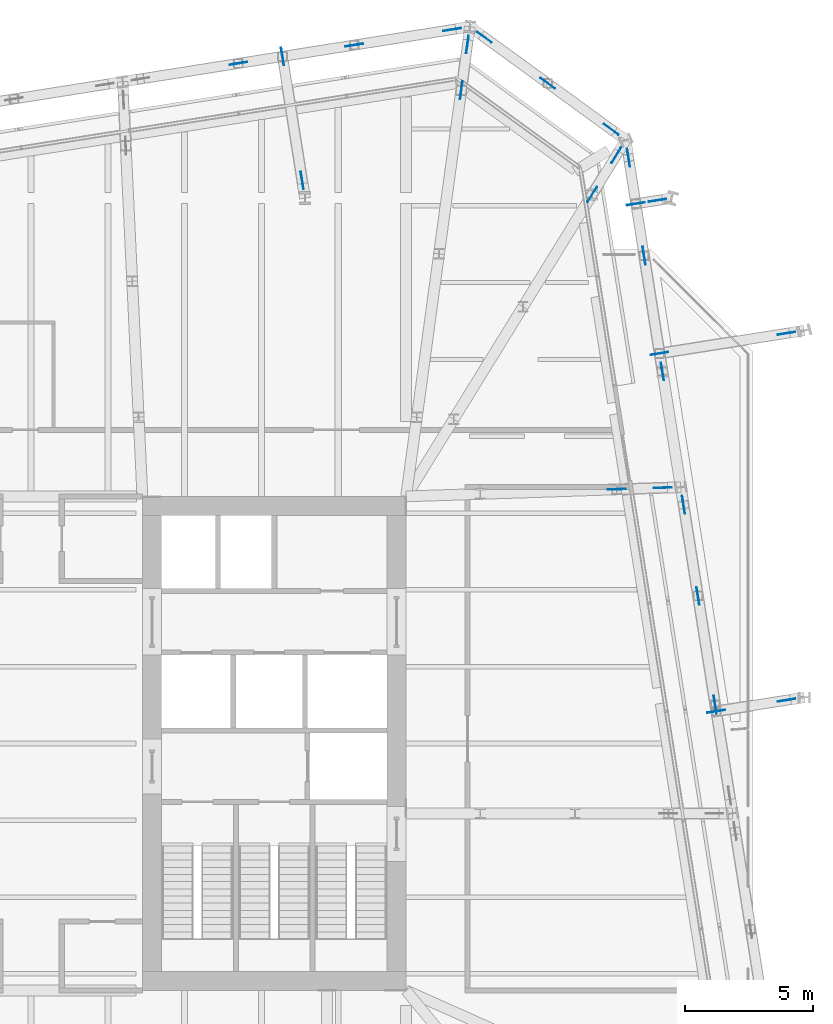
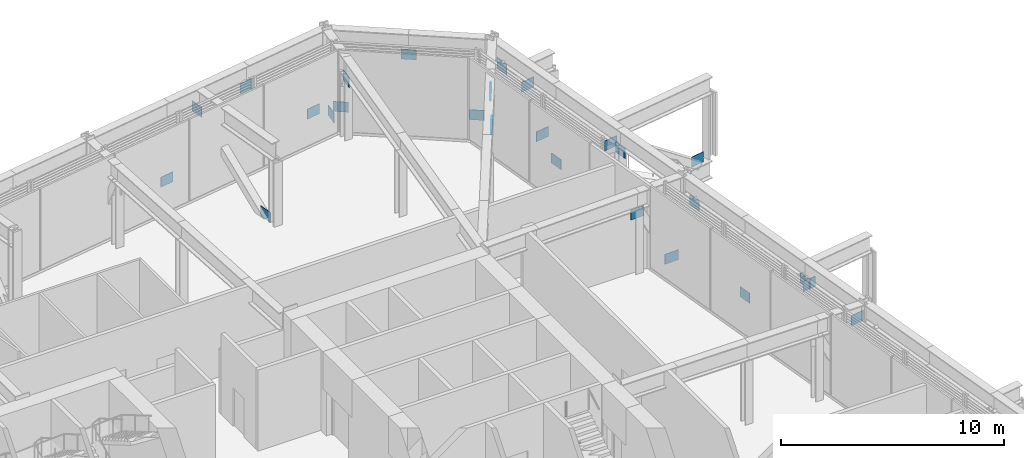
# One storey, part 28 of 32: 26 discrete accessories.
"""IFC4 building model written with IfcOpenShell, lengths in metres."""

import ifcopenshell
import ifcopenshell.guid

model = None  # the IFC model being written
_history = None  # IfcOwnerHistory: only IFC2X3 demands one
_inside = {}  # id of a spatial element -> (the spatial element, [elements in it])
_under = {}  # id of a project, library or spatial element -> (it, [spatial elements below it])
_declared = {}  # id of a project -> (the project, [libraries it declares])
_typed = {}  # id of a type object -> (the type object, [elements of that type])
_made_of = {}  # id of a material, layer set ... -> (it, [elements and type objects made of it])


def new_model(schema):
    """Start an empty IFC model of exactly this schema.

    Asked for "IFC4X3", IfcOpenShell would pick the latest addendum, in which some entities
    have other attributes; the version numbers below select the first issue.
    IFC2X3 requires an IfcOwnerHistory on every rooted entity: one is made here for all.
    """
    global model, _history
    if schema == "IFC4X3":
        model = ifcopenshell.file(schema_version=(4, 3, 0, 0))
    else:
        model = ifcopenshell.file(schema=schema)
    _inside.clear()
    _under.clear()
    _declared.clear()
    _typed.clear()
    _made_of.clear()
    _history = None
    if model.schema == "IFC2X3":
        org = make("IfcOrganization", Name="unknown")
        user = make(
            "IfcPersonAndOrganization",
            ThePerson=make("IfcPerson", FamilyName="unknown"),
            TheOrganization=org,
        )
        app = make(
            "IfcApplication",
            ApplicationDeveloper=org,
            Version="unknown",
            ApplicationFullName="unknown",
            ApplicationIdentifier="unknown",
        )
        _history = make(
            "IfcOwnerHistory",
            OwningUser=user,
            OwningApplication=app,
            ChangeAction="ADDED",
            CreationDate=0,
        )
    return model


def make(cls, **values):
    """One entity of the class cls with the attributes given. An attribute that is None is left unset."""
    return model.create_entity(
        cls, **{name: value for name, value in values.items() if value is not None}
    )


def rooted(cls, **values):
    """An entity with a GlobalId (a new one), such as an element, a storey or a relation."""
    return make(cls, GlobalId=ifcopenshell.guid.new(), OwnerHistory=_history, **values)


def si_unit(unit_type, name, prefix=None):
    """IfcSIUnit, for example si_unit("LENGTHUNIT", "METRE", prefix="MILLI")."""
    return make("IfcSIUnit", UnitType=unit_type, Prefix=prefix, Name=name)


def assignment(units):
    """IfcUnitAssignment: the units of a project."""
    return None if units is None else make("IfcUnitAssignment", Units=units)


def point(xyz):
    """IfcCartesianPoint."""
    return None if xyz is None else make("IfcCartesianPoint", Coordinates=xyz)


def direction(xyz):
    """IfcDirection."""
    return None if xyz is None else make("IfcDirection", DirectionRatios=xyz)


def frame(location, z_axis=None, x_axis=None):
    """IfcAxis2Placement3D, a coordinate frame: its origin and axes. An axis left out is left unset."""
    return make(
        "IfcAxis2Placement3D",
        Location=point(location),
        Axis=direction(z_axis),
        RefDirection=direction(x_axis),
    )


def frame_2d(location, x_axis=None):
    """IfcAxis2Placement2D, a coordinate frame in the plane: its origin and x axis."""
    return make(
        "IfcAxis2Placement2D", Location=point(location), RefDirection=direction(x_axis)
    )


def origin():
    """The frame at (0, 0, 0) with its axes left unset."""
    return frame((0.0, 0.0, 0.0))


def origin_2d():
    """The frame at (0, 0) in the plane with its x axis left unset."""
    return frame_2d((0.0, 0.0))


def place(relative_to, where):
    """IfcLocalPlacement: puts the frame where relative to a parent placement (None: the world)."""
    return make(
        "IfcLocalPlacement", PlacementRelTo=relative_to, RelativePlacement=where
    )


def context(
    kind, dimensions, precision=None, world=None, true_north=None, identifier=None
):
    """IfcGeometricRepresentationContext, for example the 3D "Model" context."""
    return make(
        "IfcGeometricRepresentationContext",
        ContextIdentifier=identifier,
        ContextType=kind,
        CoordinateSpaceDimension=dimensions,
        Precision=precision,
        WorldCoordinateSystem=world,
        TrueNorth=true_north,
    )


def subcontext(parent, identifier, kind, view, scale=None):
    """IfcGeometricRepresentationSubContext, for example "Body" below "Model"."""
    return make(
        "IfcGeometricRepresentationSubContext",
        ContextIdentifier=identifier,
        ContextType=kind,
        ParentContext=parent,
        TargetScale=scale,
        TargetView=view,
    )


def project(units=None, contexts=None):
    """IfcProject with its units and contexts."""
    return rooted(
        "IfcProject",
        Name="project",
        RepresentationContexts=contexts,
        UnitsInContext=assignment(units),
    )


def spatial(cls, under=None, at=None, **own):
    """A site, building, storey or space (cls), placed at a placement, below another one or the project."""
    s = rooted(cls, ObjectPlacement=at, **own)
    if under is not None:
        _under.setdefault(under.id(), (under, []))[1].append(s)
    return s


def profile(cls, at=None, kind="AREA", **sizes):
    """A parametric profile (cls). Its sizes go by their IFC names, for example OverallWidth=200.0."""
    return make(cls, ProfileType=kind, Position=at, **sizes)


def rectangle(**sizes):
    """IfcRectangleProfileDef."""
    return profile("IfcRectangleProfileDef", **sizes)


def extrude(swept, where, along, depth):
    """IfcExtrudedAreaSolid: the profile swept, set in the frame where, extruded along a direction by depth."""
    return make(
        "IfcExtrudedAreaSolid",
        SweptArea=swept,
        Position=where,
        ExtrudedDirection=direction(along),
        Depth=depth,
    )


def shape(context_of_items, identifier, shape_type, items):
    """IfcShapeRepresentation: the items that make up one representation, for example the "Body"."""
    return make(
        "IfcShapeRepresentation",
        ContextOfItems=context_of_items,
        RepresentationIdentifier=identifier,
        RepresentationType=shape_type,
        Items=items,
    )


def material(Name=None, Category=None):
    """IfcMaterial."""
    return make("IfcMaterial", Name=Name, Category=Category)


def layer(
    of_material, thickness, ventilated=None, Name=None, Category=None, Priority=None
):
    """IfcMaterialLayer: one layer of a wall or slab, of a material (None: an air gap)."""
    return make(
        "IfcMaterialLayer",
        Material=of_material,
        LayerThickness=thickness,
        IsVentilated=ventilated,
        Name=Name,
        Category=Category,
        Priority=Priority,
    )


def layer_set(layers, Name=None):
    """IfcMaterialLayerSet."""
    return make("IfcMaterialLayerSet", MaterialLayers=layers, LayerSetName=Name)


def made_of(thing, what):
    """Note that an element or type object is made of a material, layer set ...; save() writes the relation."""
    if what is not None:
        _made_of.setdefault(what.id(), (what, []))[1].append(thing)
    return thing


def type_object(cls, material=None, **own):
    """A type object (cls), such as IfcWallType, which elements share."""
    return made_of(rooted(cls, **own), material)


def element(
    cls,
    number,
    at=None,
    inside=None,
    cuts=None,
    type_object=None,
    material=None,
    context=None,
    identifier="Body",
    shape_type=None,
    held_by="IfcProductDefinitionShape",
    body=None,
    shapes=None,
    **own,
):
    """One element of the class cls, such as IfcWall. Its Tag is "e" and its number.

    at: its placement. inside: the storey or other place that contains it. cuts: it is an
    opening in that element (IfcRelVoidsElement). A single representation is given by context,
    identifier, shape_type and body (its items); several are given by shapes. held_by: the class
    of the entity that holds the representations. save() writes the other relations.
    """
    e = rooted(cls, Tag="e%d" % number, ObjectPlacement=at, **own)
    if body is not None:
        shapes = [shape(context, identifier, shape_type, body)]
    if shapes is not None:
        e.Representation = make(held_by, Representations=shapes)
    if inside is not None:
        _inside.setdefault(inside.id(), (inside, []))[1].append(e)
    if cuts is not None:
        rooted(
            "IfcRelVoidsElement", RelatingBuildingElement=cuts, RelatedOpeningElement=e
        )
    if type_object is not None:
        _typed.setdefault(type_object.id(), (type_object, []))[1].append(e)
    return made_of(e, material)


def aggregate(whole, parts):
    """IfcRelAggregates: a whole, such as a stair, and the parts it consists of."""
    return rooted("IfcRelAggregates", RelatingObject=whole, RelatedObjects=parts)


def save(model, path):
    """Write the relations noted so far, then the file.

    IfcRelAggregates (storeys below a building ...), IfcRelContainedInSpatialStructure (elements
    in a storey), IfcRelDefinesByType, IfcRelAssociatesMaterial and IfcRelDeclares: one each for
    every whole, place, type object, material and project.
    """
    for whole, parts in _under.values():
        aggregate(whole, parts)
    for where, things in _inside.values():
        rooted(
            "IfcRelContainedInSpatialStructure",
            RelatedElements=things,
            RelatingStructure=where,
        )
    for kind, things in _typed.values():
        rooted("IfcRelDefinesByType", RelatedObjects=things, RelatingType=kind)
    for what, things in _made_of.values():
        rooted("IfcRelAssociatesMaterial", RelatedObjects=things, RelatingMaterial=what)
    for by, libraries in _declared.values():
        rooted("IfcRelDeclares", RelatingContext=by, RelatedDefinitions=libraries)
    model.write(path)


model = new_model("IFC4")

# Units and contexts
model_context = context("Model", 3, precision=1e-05, world=origin(), true_north=direction((0.0, 1.0)))
body_context = subcontext(model_context, "Body", "Model", "MODEL_VIEW")
ifc_project = project(units=[si_unit("LENGTHUNIT", "METRE"), si_unit("AREAUNIT", "SQUARE_METRE"), si_unit("VOLUMEUNIT", "CUBIC_METRE"), si_unit("PLANEANGLEUNIT", "RADIAN"), si_unit("MASSUNIT", "GRAM", prefix="KILO")], contexts=[model_context])

# Site, building, storey
site_placement = place(None, origin())
site = spatial("IfcSite", under=ifc_project, at=site_placement, CompositionType="ELEMENT")
building_placement = place(site_placement, origin())
building = spatial("IfcBuilding", under=site, at=building_placement, Name="Millrace Tower", CompositionType="ELEMENT")
storey_placement = place(building_placement, frame((0.0, 0.0, 124.89990234375)))
storey = spatial("IfcBuildingStorey", under=building, at=storey_placement, Name="L27", CompositionType="ELEMENT", Elevation=124.89990234375)

# Discrete accessories
ifc_material = material(Name="Steel ASTM A572 Grade 50", Category="steel")
ifc_layer = layer(ifc_material, 0.02490234375)
ifc_layer_set = layer_set([ifc_layer], Name="Steel ASTM A572 Grade 50")
discrete_accessory_type = type_object("IfcDiscreteAccessoryType", Name="Truss gusset plate 700x550x25", PredefinedType="BRACKET", material=ifc_layer_set)
discrete_accessory_1_placement = place(storey_placement, frame((26.66748046875, 1.861083984375, 3.20751953125), z_axis=(0.156643307321, -0.987655240593, 0.0), x_axis=(0.987655240593, 0.156643307321, 0.0)))
element("IfcDiscreteAccessory", 1, at=discrete_accessory_1_placement, inside=storey, type_object=discrete_accessory_type, Name="Truss gusset plate TRS-L27-R07-D01 head", PredefinedType="BRACKET", context=body_context, shape_type="SweptSolid", body=[
    extrude(rectangle(XDim=0.02490234375, YDim=0.550048828125, at=origin_2d()), origin(), (0.0, 0.0, 1.0), 0.69970703125),
])
for number, where, z_axis, x_axis, name in (
    (2, (25.9951171875, 6.1083984375, 0.114990234375), (0.156249124184, -0.987717677878, 0.0), (0.987717677878, 0.156249124184, 0.0), "Truss gusset plate TRS-L27-R07-D02 foot"),
    (3, (25.431884765625, 9.6640625, 3.20751953125), (0.156249124184, -0.987717677878, 0.0), (0.987717677878, 0.156249124184, 0.0), "Truss gusset plate TRS-L27-R07-D03 head"),
    (4, (23.890625, 19.39501953125, 0.114990234375), (0.156249124184, -0.987717677878, 0.0), (0.987717677878, 0.156249124184, 0.0), "Truss gusset plate TRS-L27-R08-D02 foot"),
    (5, (24.6064453125, 14.875244140625, 3.20751953125), (0.156249124184, -0.987717677878, 0.0), (0.987717677878, 0.156249124184, 0.0), "Truss gusset plate TRS-L27-R08-D02 head"),
    (6, (23.2841796875, 23.223388671875, 3.20751953125), (0.156589351913, -0.987663796475, 0.0), (0.987663796475, 0.156589351913, 0.0), "Truss gusset plate TRS-L27-R08-D03 head"),
    (7, (22.3798828125, 24.186279296875, 0.114990234375), (0.809112951205, -0.587653156371, 0.0), (0.587653156371, 0.809112951205, 0.0), "Truss gusset plate TRS-L27-R09-D01 foot"),
    (8, (19.902099609375, 25.986572265625, 3.20751953125), (0.808992462271, -0.587819016355, 0.0), (0.587819016355, 0.808992462271, 0.0), "Truss gusset plate TRS-L27-R09-D01 head"),
    (9, (17.424072265625, 27.786865234375, 0.114990234375), (0.809112951205, -0.587653156371, 0.0), (0.587653156371, 0.809112951205, 0.0), "Truss gusset plate TRS-L27-R09-D02 foot"),
    (10, (16.103759765625, 27.828369140625, 0.114990234375), (0.987663796475, 0.156589351913, 0.0), (-0.156589351913, 0.987663796475, 0.0), "Truss gusset plate TRS-L27-R10-D01 foot"),
    (11, (12.275390625, 27.221923828125, 3.20751953125), (0.987663796475, 0.156589351913, 0.0), (-0.156589351913, 0.987663796475, 0.0), "Truss gusset plate TRS-L27-R10-D01 head"),
    (12, (7.755615234375, 26.506103515625, 0.114990234375), (0.987663796475, 0.156589351913, 0.0), (-0.156589351913, 0.987663796475, 0.0), "Truss gusset plate TRS-L27-R10-D02 foot"),
    (13, (24.32763671875, 9.974609375, 0.114990234375), (0.99945069948, 0.03314059911, 0.0), (-0.03314059911, 0.99945069948, 0.0), "Truss gusset plate TRS-L27-C08-D01 foot"),
    (14, (22.52880859375, 9.914306640625, 3.20751953125), (0.99945069948, 0.03314059911, 0.0), (-0.03314059911, 0.99945069948, 0.0), "Truss gusset plate TRS-L27-C08-D01 head"),
    (15, (22.678466796875, 22.67529296875, 0.114990234375), (0.524972939322, 0.851118918236, 0.0), (-0.851118918236, 0.524972939322, 0.0), "Truss gusset plate TRS-L27-C09-D01 foot"),
):
    element("IfcDiscreteAccessory", number, at=place(storey_placement, frame(where, z_axis=z_axis, x_axis=x_axis)), inside=storey, type_object=discrete_accessory_type, Name=name, PredefinedType="BRACKET", context=body_context, shape_type="SweptSolid", body=[
        extrude(rectangle(XDim=0.02490234375, YDim=0.550048828125, at=origin_2d()), origin(), (0.0, 0.0, 1.0), 0.699951171875),
    ])
discrete_accessory_2_placement = place(storey_placement, frame((21.73388671875, 21.142822265625, 3.20751953125), z_axis=(0.524817119332, 0.851215008829, 0.0), x_axis=(-0.851215008829, 0.524817119332, 0.0)))
element("IfcDiscreteAccessory", 16, at=discrete_accessory_2_placement, inside=storey, type_object=discrete_accessory_type, Name="Truss gusset plate TRS-L27-C09-D01 head", PredefinedType="BRACKET", context=body_context, shape_type="SweptSolid", body=[
    extrude(rectangle(XDim=0.02490234375, YDim=0.550048828125, at=origin_2d()), origin(), (0.0, 0.0, 1.0), 0.7001953125),
])
for number, where, z_axis, x_axis, name in (
    (17, (16.99951171875, 26.9521484375, 0.114990234375), (0.134630692145, 0.990895845552, 0.0), (-0.990895845552, 0.134630692145, 0.0), "Truss gusset plate TRS-L27-C10-D01 foot"),
    (18, (16.75732421875, 25.168701171875, 3.20751953125), (0.134630692145, 0.990895845552, 0.0), (-0.990895845552, 0.134630692145, 0.0), "Truss gusset plate TRS-L27-C10-D01 head"),
    (19, (29.162841796875, 1.6357421875, 0.114990234375), (0.987717677878, 0.156249124184, 0.0), (-0.156249124184, 0.987717677878, 0.0), "Truss gusset plate TRS-L27-B-B-X08-D01 foot"),
    (20, (26.417724609375, 1.200927734375, 3.20751953125), (0.987663796475, 0.156589351913, 0.0), (-0.156589351913, 0.987663796475, 0.0), "Truss gusset plate TRS-L27-B-B-X08-D01 head"),
    (21, (29.162841796875, 15.964111328125, 0.114990234375), (0.987663796475, 0.156589351913, 0.0), (-0.156589351913, 0.987663796475, 0.0), "Truss gusset plate TRS-L27-B-B-X09-D01 foot"),
    (22, (24.2041015625, 15.1787109375, 3.20751953125), (0.987663796475, 0.156589351913, 0.0), (-0.156589351913, 0.987663796475, 0.0), "Truss gusset plate TRS-L27-B-B-X09-D01 head"),
    (23, (24.12109375, 21.15625, 0.114990234375), (0.987663796475, 0.156589351913, 0.0), (-0.156589351913, 0.987663796475, 0.0), "Truss gusset plate TRS-L27-B-B-X10-D01 foot"),
    (24, (23.2783203125, 21.022705078125, 3.20751953125), (0.987663796475, 0.156589351913, 0.0), (-0.156589351913, 0.987663796475, 0.0), "Truss gusset plate TRS-L27-B-B-X10-D01 head"),
    (25, (10.53564453125, 22.337158203125, 0.114990234375), (0.156589351913, -0.987663796475, 0.0), (0.987663796475, 0.156589351913, 0.0), "Truss gusset plate TRS-L27-B-B-X11-D01 foot"),
    (26, (9.768798828125, 27.179443359375, 3.20751953125), (0.156589351913, -0.987663796475, 0.0), (0.987663796475, 0.156589351913, 0.0), "Truss gusset plate TRS-L27-B-B-X11-D01 head"),
):
    element("IfcDiscreteAccessory", number, at=place(storey_placement, frame(where, z_axis=z_axis, x_axis=x_axis)), inside=storey, type_object=discrete_accessory_type, Name=name, PredefinedType="BRACKET", context=body_context, shape_type="SweptSolid", body=[
        extrude(rectangle(XDim=0.02490234375, YDim=0.550048828125, at=origin_2d()), origin(), (0.0, 0.0, 1.0), 0.699951171875),
    ])

save(model, "model.ifc")
